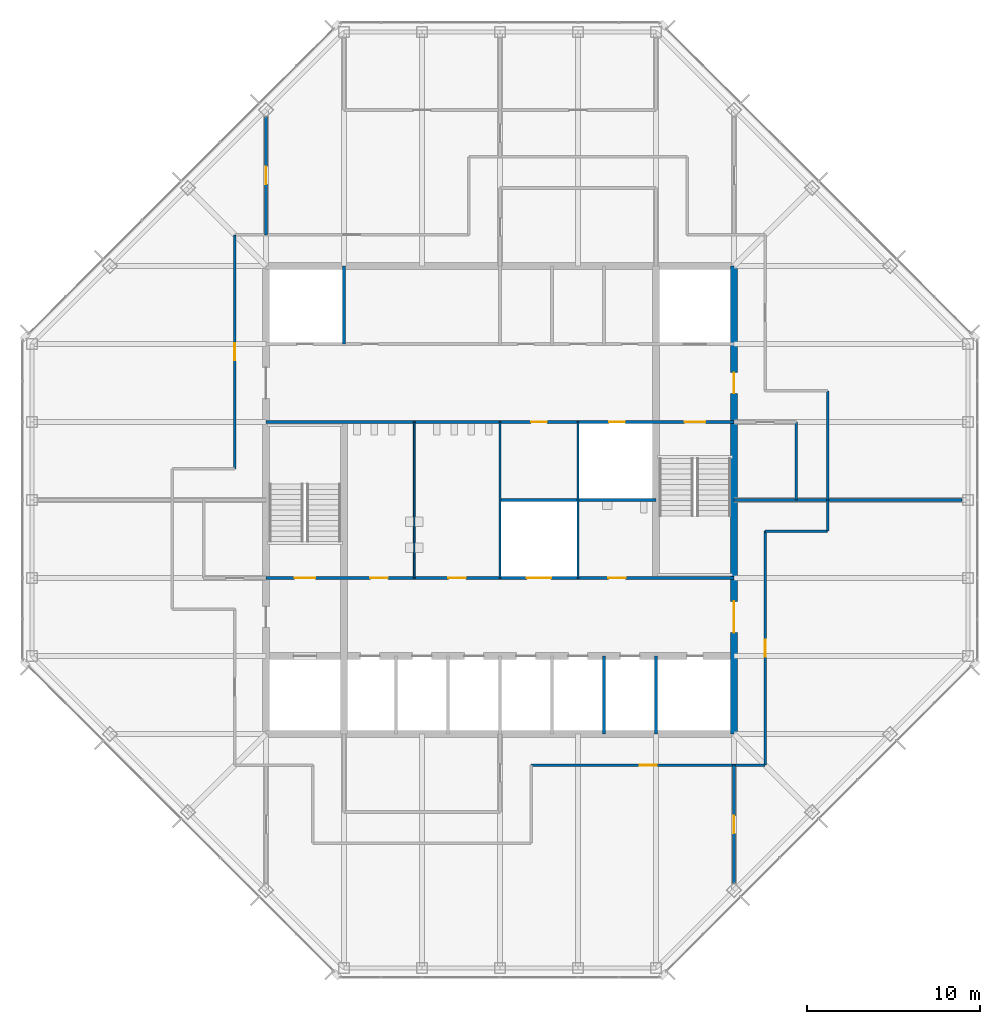
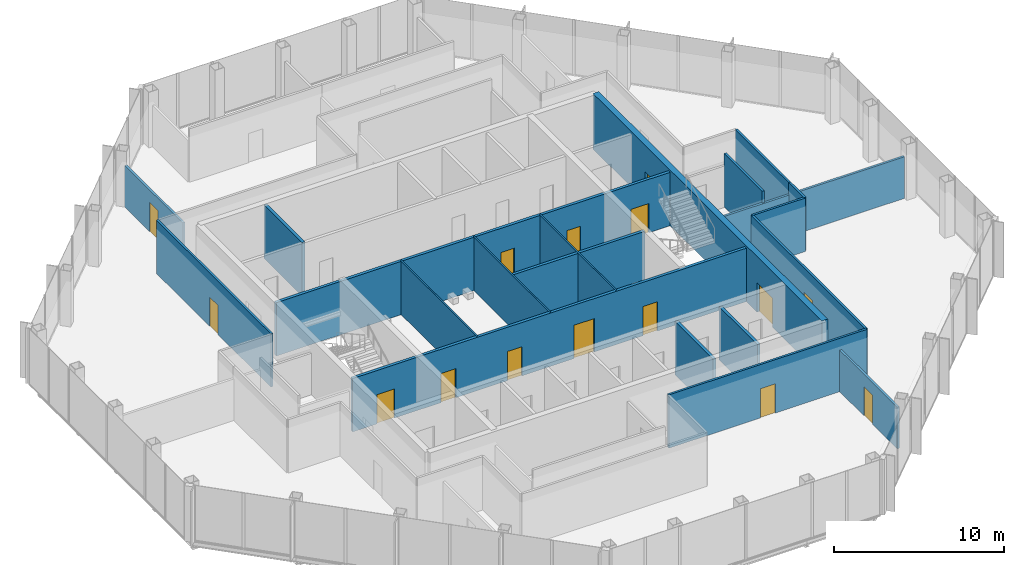
# One storey, part 10 of 13: 20 walls, 15 doors, 15 openings.
"""IFC4 building model written with IfcOpenShell, lengths in metres."""

from ifc_helpers import new_model, si_unit, direction, frame, frame_2d, origin, place, context, subcontext, project, spatial, rectangle, extrude, material, layer, layer_set, type_object, element, fill, save


model = new_model("IFC4")

# Units and contexts
model_context = context("Model", 3, precision=1e-05, world=origin(), true_north=direction((0.0, 1.0)))
body_context = subcontext(model_context, "Body", "Model", "MODEL_VIEW")
ifc_project = project(units=[si_unit("LENGTHUNIT", "METRE"), si_unit("AREAUNIT", "SQUARE_METRE"), si_unit("VOLUMEUNIT", "CUBIC_METRE"), si_unit("PLANEANGLEUNIT", "RADIAN"), si_unit("MASSUNIT", "GRAM", prefix="KILO")], contexts=[model_context])

# Site, building, storey
site_placement = place(None, origin())
site = spatial("IfcSite", under=ifc_project, at=site_placement, CompositionType="ELEMENT")
building_placement = place(site_placement, origin())
building = spatial("IfcBuilding", under=site, at=building_placement, Name="Corais Broadcast Tower", CompositionType="ELEMENT")
storey_placement = place(building_placement, frame((0.0, 0.0, 238.60009765625)))
storey = spatial("IfcBuildingStorey", under=building, at=storey_placement, Name="L55", CompositionType="ELEMENT", Elevation=238.60009765625)

# Walls
ifc_material_1 = material(Name="Concrete blockwork class A, grouted, two-hour", Category="masonry")
ifc_layer_1 = layer(ifc_material_1, 0.199951171875)
ifc_layer_set_1 = layer_set([ifc_layer_1], Name="Concrete blockwork class A, grouted, two-hour")
wall_type_1 = type_object("IfcWallType", Name="Core lobby wall 200", PredefinedType="SOLIDWALL", material=ifc_layer_set_1)
for number, where, z_axis, x_axis, name in (
    (1, (18.0, 36.0, 0.0), (0.0, 0.0, 1.0), (0.0, 1.0, 0.0), "CL3 core shaft wall X18B L55"),
    (2, (36.0, 13.5, 0.0), (0.0, 0.0, 1.0), (0.0, 1.0, 0.0), "CL3 core shaft wall X36A L55"),
):
    element("IfcWall", number, at=place(storey_placement, frame(where, z_axis=z_axis, x_axis=x_axis)), inside=storey, type_object=wall_type_1, Name=name, PredefinedType="SOLIDWALL", context=body_context, shape_type="SweptSolid", body=[
        extrude(rectangle(XDim=4.5, YDim=0.199951171875, at=frame_2d((2.25, 0.0))), origin(), (0.0, 0.0, 1.0), 3.83984375),
    ])

# Wall, openings, doors
wall_1_placement = place(storey_placement, frame((13.5, 22.5, 0.0), z_axis=(0.0, 0.0, 1.0), x_axis=(1.0, 0.0, 0.0)))
wall_1 = element("IfcWall", 3, at=wall_1_placement, inside=storey, type_object=wall_type_1, Name="CL3 core lobby wall Y225 L55", PredefinedType="SOLIDWALL", context=body_context, shape_type="SweptSolid", body=[
    extrude(rectangle(XDim=27.0, YDim=0.199951171875, at=frame_2d((13.5, 0.0))), origin(), (0.0, 0.0, 1.0), 3.83984375),
])
opening_1_placement = place(wall_1_placement, frame((1.64990234375, 0.0, 0.0)))
opening_1 = element("IfcOpeningElement", 4, at=opening_1_placement, cuts=wall_1, Name="Opening FD1", PredefinedType="OPENING", context=body_context, shape_type="SweptSolid", body=[
    extrude(rectangle(XDim=1.199951171875, YDim=2.10009765625, at=frame_2d((0.60009765625, 1.050048828125))), frame((0.0, 0.10986328125, 0.0), z_axis=(0.0, -1.0, 0.0), x_axis=(1.0, 0.0, 0.0)), (0.0, 0.0, 1.0), 0.219970703125),
])
opening_2_placement = place(wall_1_placement, frame((6.02490234375, 0.0, 0.0)))
opening_2 = element("IfcOpeningElement", 5, at=opening_2_placement, cuts=wall_1, Name="Opening WD1", PredefinedType="OPENING", context=body_context, shape_type="SweptSolid", body=[
    extrude(rectangle(XDim=1.0, YDim=2.10009765625, at=frame_2d((0.5, 1.050048828125))), frame((0.0, 0.10986328125, 0.0), z_axis=(0.0, -1.0, 0.0), x_axis=(1.0, 0.0, 0.0)), (0.0, 0.0, 1.0), 0.219970703125),
])
opening_3_placement = place(wall_1_placement, frame((10.52490234375, 0.0, 0.0)))
opening_3 = element("IfcOpeningElement", 6, at=opening_3_placement, cuts=wall_1, Name="Opening WD1", PredefinedType="OPENING", context=body_context, shape_type="SweptSolid", body=[
    extrude(rectangle(XDim=1.0, YDim=2.10009765625, at=frame_2d((0.5, 1.050048828125))), frame((0.0, 0.10986328125, 0.0), z_axis=(0.0, -1.0, 0.0), x_axis=(1.0, 0.0, 0.0)), (0.0, 0.0, 1.0), 0.219970703125),
])
opening_4_placement = place(wall_1_placement, frame((19.75, 0.0, 0.0)))
opening_4 = element("IfcOpeningElement", 7, at=opening_4_placement, cuts=wall_1, Name="Opening WD1", PredefinedType="OPENING", context=body_context, shape_type="SweptSolid", body=[
    extrude(rectangle(XDim=1.0, YDim=2.10009765625, at=frame_2d((0.5, 1.050048828125))), frame((0.0, 0.10986328125, 0.0), z_axis=(0.0, -1.0, 0.0), x_axis=(1.0, 0.0, 0.0)), (0.0, 0.0, 1.0), 0.219970703125),
])
opening_5_placement = place(wall_1_placement, frame((15.050048828125, 0.0, 0.0)))
opening_5 = element("IfcOpeningElement", 8, at=opening_5_placement, cuts=wall_1, Name="Opening LD3", PredefinedType="OPENING", context=body_context, shape_type="SweptSolid", body=[
    extrude(rectangle(XDim=1.39990234375, YDim=2.39990234375, at=frame_2d((0.699951171875, 1.199951171875))), frame((0.0, 0.10986328125, 0.0), z_axis=(0.0, -1.0, 0.0), x_axis=(1.0, 0.0, 0.0)), (0.0, 0.0, 1.0), 0.219970703125),
])
ifc_material_2 = material(Name="Steel fire door", Category="steel")
door_type_1 = type_object("IfcDoorType", Name="Fire door 1200x2100", OperationType="SINGLE_SWING_LEFT", PredefinedType="DOOR", material=ifc_material_2)
door_1_placement = place(opening_1_placement, origin())
door_1 = element("IfcDoor", 9, at=door_1_placement, inside=storey, type_object=door_type_1, Name="FD1 stair A door L55", OperationType="SINGLE_SWING_LEFT", OverallHeight=2.10009765625, OverallWidth=1.199951171875, PredefinedType="DOOR", context=body_context, shape_type="SweptSolid", body=[
    extrude(rectangle(XDim=1.199951171875, YDim=2.10009765625, at=frame_2d((0.60009765625, 1.050048828125))), frame((0.0, 0.02490234375, 0.0), z_axis=(0.0, -1.0, 0.0), x_axis=(1.0, 0.0, 0.0)), (0.0, 0.0, 1.0), 0.050048828125),
])
fill(opening_1, door_1)
ifc_material_3 = material(Name="Stainless steel lift door", Category="steel")
door_type_2 = type_object("IfcDoorType", Name="Service lift landing door 1400x2400", OperationType="SLIDING_TO_LEFT", PredefinedType="DOOR", material=ifc_material_3)
door_2_placement = place(opening_5_placement, origin())
door_2 = element("IfcDoor", 10, at=door_2_placement, inside=storey, type_object=door_type_2, Name="LD3 SL1 landing door L55", OperationType="SLIDING_TO_LEFT", OverallHeight=2.39990234375, OverallWidth=1.39990234375, PredefinedType="DOOR", context=body_context, shape_type="SweptSolid", body=[
    extrude(rectangle(XDim=1.39990234375, YDim=2.39990234375, at=frame_2d((0.699951171875, 1.199951171875))), frame((0.0, 0.02490234375, 0.0), z_axis=(0.0, -1.0, 0.0), x_axis=(1.0, 0.0, 0.0)), (0.0, 0.0, 1.0), 0.050048828125),
])
fill(opening_5, door_2)
ifc_material_4 = material(Name="Timber door", Category="wood")
door_type_3 = type_object("IfcDoorType", Name="Toilet door 1000x2100", OperationType="SINGLE_SWING_LEFT", PredefinedType="DOOR", material=ifc_material_4)
door_3_placement = place(opening_2_placement, origin())
door_3 = element("IfcDoor", 11, at=door_3_placement, inside=storey, type_object=door_type_3, Name="WD1 WC male door L55", OperationType="SINGLE_SWING_LEFT", OverallHeight=2.10009765625, OverallWidth=1.0, PredefinedType="DOOR", context=body_context, shape_type="SweptSolid", body=[
    extrude(rectangle(XDim=1.0, YDim=2.10009765625, at=frame_2d((0.5, 1.050048828125))), frame((0.0, 0.02490234375, 0.0), z_axis=(0.0, -1.0, 0.0), x_axis=(1.0, 0.0, 0.0)), (0.0, 0.0, 1.0), 0.050048828125),
])
fill(opening_2, door_3)
door_4_placement = place(opening_3_placement, origin())
door_4 = element("IfcDoor", 12, at=door_4_placement, inside=storey, type_object=door_type_3, Name="WD1 WC female door L55", OperationType="SINGLE_SWING_LEFT", OverallHeight=2.10009765625, OverallWidth=1.0, PredefinedType="DOOR", context=body_context, shape_type="SweptSolid", body=[
    extrude(rectangle(XDim=1.0, YDim=2.10009765625, at=frame_2d((0.5, 1.050048828125))), frame((0.0, 0.02490234375, 0.0), z_axis=(0.0, -1.0, 0.0), x_axis=(1.0, 0.0, 0.0)), (0.0, 0.0, 1.0), 0.050048828125),
])
fill(opening_3, door_4)
door_5_placement = place(opening_4_placement, origin())
door_5 = element("IfcDoor", 13, at=door_5_placement, inside=storey, type_object=door_type_3, Name="WD1 accessible WC door L55", OperationType="SINGLE_SWING_RIGHT", OverallHeight=2.10009765625, OverallWidth=1.0, PredefinedType="DOOR", context=body_context, shape_type="SweptSolid", body=[
    extrude(rectangle(XDim=1.0, YDim=2.10009765625, at=frame_2d((0.5, 1.050048828125))), frame((0.0, 0.02490234375, 0.0), z_axis=(0.0, -1.0, 0.0), x_axis=(1.0, 0.0, 0.0)), (0.0, 0.0, 1.0), 0.050048828125),
])
fill(opening_4, door_5)

wall_2_placement = place(storey_placement, frame((13.5, 31.5, 0.0), z_axis=(0.0, 0.0, 1.0), x_axis=(1.0, 0.0, 0.0)))
wall_2 = element("IfcWall", 14, at=wall_2_placement, inside=storey, type_object=wall_type_1, Name="CL3 core lobby wall Y315 L55", PredefinedType="SOLIDWALL", context=body_context, shape_type="SweptSolid", body=[
    extrude(rectangle(XDim=27.0, YDim=0.199951171875, at=frame_2d((13.5, 0.0))), origin(), (0.0, 0.0, 1.0), 3.83984375),
])
opening_6_placement = place(wall_2_placement, frame((24.14990234375, 0.0, 0.0)))
opening_6 = element("IfcOpeningElement", 15, at=opening_6_placement, cuts=wall_2, Name="Opening FD1", PredefinedType="OPENING", context=body_context, shape_type="SweptSolid", body=[
    extrude(rectangle(XDim=1.199951171875, YDim=2.10009765625, at=frame_2d((0.60009765625, 1.050048828125))), frame((0.0, 0.10986328125, 0.0), z_axis=(0.0, -1.0, 0.0), x_axis=(1.0, 0.0, 0.0)), (0.0, 0.0, 1.0), 0.219970703125),
])
opening_7_placement = place(wall_2_placement, frame((15.300048828125, 0.0, 0.0)))
opening_7 = element("IfcOpeningElement", 16, at=opening_7_placement, cuts=wall_2, Name="Opening RD1", PredefinedType="OPENING", context=body_context, shape_type="SweptSolid", body=[
    extrude(rectangle(XDim=0.89990234375, YDim=2.10009765625, at=frame_2d((0.449951171875, 1.050048828125))), frame((0.0, 0.10986328125, 0.0), z_axis=(0.0, -1.0, 0.0), x_axis=(1.0, 0.0, 0.0)), (0.0, 0.0, 1.0), 0.219970703125),
])
opening_8_placement = place(wall_2_placement, frame((19.800048828125, 0.0, 0.0)))
opening_8 = element("IfcOpeningElement", 17, at=opening_8_placement, cuts=wall_2, Name="Opening RD1", PredefinedType="OPENING", context=body_context, shape_type="SweptSolid", body=[
    extrude(rectangle(XDim=0.89990234375, YDim=2.10009765625, at=frame_2d((0.449951171875, 1.050048828125))), frame((0.0, 0.10986328125, 0.0), z_axis=(0.0, -1.0, 0.0), x_axis=(1.0, 0.0, 0.0)), (0.0, 0.0, 1.0), 0.219970703125),
])
door_6_placement = place(opening_6_placement, origin())
door_6 = element("IfcDoor", 18, at=door_6_placement, inside=storey, type_object=door_type_1, Name="FD1 stair B door L55", OperationType="SINGLE_SWING_RIGHT", OverallHeight=2.10009765625, OverallWidth=1.199951171875, PredefinedType="DOOR", context=body_context, shape_type="SweptSolid", body=[
    extrude(rectangle(XDim=1.199951171875, YDim=2.10009765625, at=frame_2d((0.60009765625, 1.050048828125))), frame((0.0, 0.02490234375, 0.0), z_axis=(0.0, -1.0, 0.0), x_axis=(1.0, 0.0, 0.0)), (0.0, 0.0, 1.0), 0.050048828125),
])
fill(opening_6, door_6)
ifc_material_5 = material(Name="Steel fire door", Category="steel")
door_type_4 = type_object("IfcDoorType", Name="Riser door 900x2100", OperationType="SINGLE_SWING_LEFT", PredefinedType="DOOR", material=ifc_material_5)
door_7_placement = place(opening_7_placement, origin())
door_7 = element("IfcDoor", 19, at=door_7_placement, inside=storey, type_object=door_type_4, Name="RD1 cleaner's store door L55", OperationType="SINGLE_SWING_RIGHT", OverallHeight=2.10009765625, OverallWidth=0.89990234375, PredefinedType="DOOR", context=body_context, shape_type="SweptSolid", body=[
    extrude(rectangle(XDim=0.89990234375, YDim=2.10009765625, at=frame_2d((0.449951171875, 1.050048828125))), frame((0.0, 0.02490234375, 0.0), z_axis=(0.0, -1.0, 0.0), x_axis=(1.0, 0.0, 0.0)), (0.0, 0.0, 1.0), 0.050048828125),
])
fill(opening_7, door_7)
door_8_placement = place(opening_8_placement, origin())
door_8 = element("IfcDoor", 20, at=door_8_placement, inside=storey, type_object=door_type_4, Name="RD1 riser door L55", OperationType="SINGLE_SWING_RIGHT", OverallHeight=2.10009765625, OverallWidth=0.89990234375, PredefinedType="DOOR", context=body_context, shape_type="SweptSolid", body=[
    extrude(rectangle(XDim=0.89990234375, YDim=2.10009765625, at=frame_2d((0.449951171875, 1.050048828125))), frame((0.0, 0.02490234375, 0.0), z_axis=(0.0, -1.0, 0.0), x_axis=(1.0, 0.0, 0.0)), (0.0, 0.0, 1.0), 0.050048828125),
])
fill(opening_8, door_8)

ifc_material_6 = material(Name="Concrete C50/60", Category="concrete")
ifc_layer_2 = layer(ifc_material_6, 0.39990234375)
ifc_layer_set_2 = layer_set([ifc_layer_2], Name="Concrete C50/60")
wall_type_2 = type_object("IfcWallType", Name="Core wall 400", PredefinedType="SHEAR", material=ifc_layer_set_2)
wall_3_placement = place(storey_placement, frame((40.5, 13.5, 0.0), z_axis=(0.0, 0.0, 1.0), x_axis=(0.0, 1.0, 0.0)))
wall_3 = element("IfcWall", 21, at=wall_3_placement, inside=storey, type_object=wall_type_2, Name="CR400 core wall E L55", PredefinedType="SHEAR", context=body_context, shape_type="SweptSolid", body=[
    extrude(rectangle(XDim=27.0, YDim=0.39990234375, at=frame_2d((13.5, 0.0))), origin(), (0.0, 0.0, 1.0), 4.0),
])
opening_9_placement = place(wall_3_placement, frame((5.85009765625, 0.0, 0.0)))
opening_9 = element("IfcOpeningElement", 22, at=opening_9_placement, cuts=wall_3, Name="Opening FD2", PredefinedType="OPENING", context=body_context, shape_type="SweptSolid", body=[
    extrude(rectangle(XDim=1.800048828125, YDim=2.10009765625, at=frame_2d((0.89990234375, 1.050048828125))), frame((0.0, 0.2099609375, 0.0), z_axis=(0.0, -1.0, 0.0), x_axis=(1.0, 0.0, 0.0)), (0.0, 0.0, 1.0), 0.419921875),
])
opening_10_placement = place(wall_3_placement, frame((19.64990234375, 0.0, 0.0)))
opening_10 = element("IfcOpeningElement", 23, at=opening_10_placement, cuts=wall_3, Name="Opening FD1", PredefinedType="OPENING", context=body_context, shape_type="SweptSolid", body=[
    extrude(rectangle(XDim=1.199951171875, YDim=2.10009765625, at=frame_2d((0.60009765625, 1.050048828125))), frame((0.0, 0.2099609375, 0.0), z_axis=(0.0, -1.0, 0.0), x_axis=(1.0, 0.0, 0.0)), (0.0, 0.0, 1.0), 0.419921875),
])
door_9_placement = place(opening_10_placement, origin())
door_9 = element("IfcDoor", 24, at=door_9_placement, inside=storey, type_object=door_type_1, Name="FD1 fire lobby B door L55", OperationType="SINGLE_SWING_RIGHT", OverallHeight=2.10009765625, OverallWidth=1.199951171875, PredefinedType="DOOR", context=body_context, shape_type="SweptSolid", body=[
    extrude(rectangle(XDim=1.199951171875, YDim=2.10009765625, at=frame_2d((0.60009765625, 1.050048828125))), frame((0.0, 0.02490234375, 0.0), z_axis=(0.0, -1.0, 0.0), x_axis=(1.0, 0.0, 0.0)), (0.0, 0.0, 1.0), 0.050048828125),
])
fill(opening_10, door_9)
ifc_material_7 = material(Name="Steel fire door", Category="steel")
door_type_5 = type_object("IfcDoorType", Name="Fire door pair 1800x2100", OperationType="DOUBLE_DOOR_SINGLE_SWING", PredefinedType="DOOR", material=ifc_material_7)
door_10_placement = place(opening_9_placement, origin())
door_10 = element("IfcDoor", 25, at=door_10_placement, inside=storey, type_object=door_type_5, Name="FD2 lift lobby door L55", OperationType="SINGLE_SWING_LEFT", OverallHeight=2.10009765625, OverallWidth=1.800048828125, PredefinedType="DOOR", context=body_context, shape_type="SweptSolid", body=[
    extrude(rectangle(XDim=1.800048828125, YDim=2.10009765625, at=frame_2d((0.89990234375, 1.050048828125))), frame((0.0, 0.02490234375, 0.0), z_axis=(0.0, -1.0, 0.0), x_axis=(1.0, 0.0, 0.0)), (0.0, 0.0, 1.0), 0.050048828125),
])
fill(opening_9, door_10)

# Wall
ifc_material_8 = material(Name="Two layers of fire-rated gypsum board each side on steel studs", Category="steel")
ifc_layer_3 = layer(ifc_material_8, 0.14990234375)
ifc_layer_set_3 = layer_set([ifc_layer_3], Name="Two layers of fire-rated gypsum board each side on steel studs")
wall_type_3 = type_object("IfcWallType", Name="Fire-rated partition 150 EI 60", PredefinedType="PARTITIONING", material=ifc_layer_set_3)
wall_4_placement = place(storey_placement, frame((40.5, 27.0, 0.0), z_axis=(0.0, 0.0, 1.0), x_axis=(1.0, 0.0, 0.0)))
element("IfcWall", 26, at=wall_4_placement, inside=storey, type_object=wall_type_3, Name="IW7 tenancy wall L55", PredefinedType="PARTITIONING", context=body_context, shape_type="SweptSolid", body=[
    extrude(rectangle(XDim=13.1650390625, YDim=0.14990234375, at=frame_2d((6.58251953125, 0.0))), origin(), (0.0, 0.0, 1.0), 2.989013671875),
])

# Wall, opening, door
ifc_material_9 = material(Name="Gypsum board on steel studs", Category="steel")
ifc_layer_4 = layer(ifc_material_9, 0.14990234375)
ifc_layer_set_4 = layer_set([ifc_layer_4], Name="Gypsum board on steel studs")
wall_type_4 = type_object("IfcWallType", Name="Partition 150", PredefinedType="PARTITIONING", material=ifc_layer_set_4)
wall_5_placement = place(storey_placement, frame((28.800048828125, 11.699951171875, 0.0), z_axis=(0.0, 0.0, 1.0), x_axis=(1.0, 0.0, 0.0)))
wall_5 = element("IfcWall", 27, at=wall_5_placement, inside=storey, type_object=wall_type_4, Name="IW3 corridor wall L55", PredefinedType="PARTITIONING", context=body_context, shape_type="SweptSolid", body=[
    extrude(rectangle(XDim=13.5, YDim=0.14990234375, at=frame_2d((6.75, 0.0))), origin(), (0.0, 0.0, 1.0), 3.83984375),
])
opening_11_placement = place(wall_5_placement, frame((6.25, 0.0, 0.0)))
opening_11 = element("IfcOpeningElement", 28, at=opening_11_placement, cuts=wall_5, Name="Opening D1", PredefinedType="OPENING", context=body_context, shape_type="SweptSolid", body=[
    extrude(rectangle(XDim=1.0, YDim=2.10009765625, at=frame_2d((0.5, 1.050048828125))), frame((0.0, 0.0849609375, 0.0), z_axis=(0.0, -1.0, 0.0), x_axis=(1.0, 0.0, 0.0)), (0.0, 0.0, 1.0), 0.169921875),
])
ifc_material_10 = material(Name="Timber door", Category="wood")
door_type_6 = type_object("IfcDoorType", Name="Single door 1000x2100", OperationType="SINGLE_SWING_LEFT", PredefinedType="DOOR", material=ifc_material_10)
door_11_placement = place(opening_11_placement, origin())
door_11 = element("IfcDoor", 29, at=door_11_placement, inside=storey, type_object=door_type_6, Name="D1 workplace door L55", OperationType="SINGLE_SWING_LEFT", OverallHeight=2.10009765625, OverallWidth=1.0, PredefinedType="DOOR", context=body_context, shape_type="SweptSolid", body=[
    extrude(rectangle(XDim=1.0, YDim=2.10009765625, at=frame_2d((0.5, 1.050048828125))), frame((0.0, 0.02490234375, 0.0), z_axis=(0.0, -1.0, 0.0), x_axis=(1.0, 0.0, 0.0)), (0.0, 0.0, 1.0), 0.050048828125),
])
fill(opening_11, door_11)

wall_6_placement = place(storey_placement, frame((42.300048828125, 11.699951171875, 0.0), z_axis=(0.0, 0.0, 1.0), x_axis=(0.0, 1.0, 0.0)))
wall_6 = element("IfcWall", 30, at=wall_6_placement, inside=storey, type_object=wall_type_4, Name="IW3 corridor wall L55", PredefinedType="PARTITIONING", context=body_context, shape_type="SweptSolid", body=[
    extrude(rectangle(XDim=13.5, YDim=0.14990234375, at=frame_2d((6.75, 0.0))), origin(), (0.0, 0.0, 1.0), 3.83984375),
])
opening_12_placement = place(wall_6_placement, frame((6.25, 0.0, 0.0)))
opening_12 = element("IfcOpeningElement", 31, at=opening_12_placement, cuts=wall_6, Name="Opening D1", PredefinedType="OPENING", context=body_context, shape_type="SweptSolid", body=[
    extrude(rectangle(XDim=1.0, YDim=2.10009765625, at=frame_2d((0.5, 1.050048828125))), frame((0.0, 0.0849609375, 0.0), z_axis=(0.0, -1.0, 0.0), x_axis=(1.0, 0.0, 0.0)), (0.0, 0.0, 1.0), 0.169921875),
])
door_12_placement = place(opening_12_placement, origin())
door_12 = element("IfcDoor", 32, at=door_12_placement, inside=storey, type_object=door_type_6, Name="D1 workplace door L55", OperationType="SINGLE_SWING_LEFT", OverallHeight=2.10009765625, OverallWidth=1.0, PredefinedType="DOOR", context=body_context, shape_type="SweptSolid", body=[
    extrude(rectangle(XDim=1.0, YDim=2.10009765625, at=frame_2d((0.5, 1.050048828125))), frame((0.0, 0.02490234375, 0.0), z_axis=(0.0, -1.0, 0.0), x_axis=(1.0, 0.0, 0.0)), (0.0, 0.0, 1.0), 0.050048828125),
])
fill(opening_12, door_12)

# Walls
wall_7_placement = place(storey_placement, frame((42.300048828125, 25.199951171875, 0.0), z_axis=(0.0, 0.0, 1.0), x_axis=(1.0, 0.0, 0.0)))
element("IfcWall", 33, at=wall_7_placement, inside=storey, type_object=wall_type_4, Name="IW3 corridor wall L55", PredefinedType="PARTITIONING", context=body_context, shape_type="SweptSolid", body=[
    extrude(rectangle(XDim=3.599853515625, YDim=0.14990234375, at=frame_2d((1.7998046875, 0.0))), origin(), (0.0, 0.0, 1.0), 3.83984375),
])
wall_8_placement = place(storey_placement, frame((45.89990234375, 25.199951171875, 0.0), z_axis=(0.0, 0.0, 1.0), x_axis=(0.0, 1.0, 0.0)))
element("IfcWall", 34, at=wall_8_placement, inside=storey, type_object=wall_type_4, Name="IW3 corridor wall L55", PredefinedType="PARTITIONING", context=body_context, shape_type="SweptSolid", body=[
    extrude(rectangle(XDim=1.799560546875, YDim=0.14990234375, at=frame_2d((0.89990234375, 0.0))), origin(), (0.0, 0.0, 1.0), 3.83984375),
])

# Wall, opening, door
wall_9_placement = place(storey_placement, frame((11.699951171875, 42.300048828125, 0.0), z_axis=(0.0, 0.0, 1.0), x_axis=(0.0, -1.0, 0.0)))
wall_9 = element("IfcWall", 35, at=wall_9_placement, inside=storey, type_object=wall_type_4, Name="IW3 corridor wall L55", PredefinedType="PARTITIONING", context=body_context, shape_type="SweptSolid", body=[
    extrude(rectangle(XDim=13.5, YDim=0.14990234375, at=frame_2d((6.75, 0.0))), origin(), (0.0, 0.0, 1.0), 3.83984375),
])
opening_13_placement = place(wall_9_placement, frame((6.25, 0.0, 0.0)))
opening_13 = element("IfcOpeningElement", 36, at=opening_13_placement, cuts=wall_9, Name="Opening D1", PredefinedType="OPENING", context=body_context, shape_type="SweptSolid", body=[
    extrude(rectangle(XDim=1.0, YDim=2.10009765625, at=frame_2d((0.5, 1.050048828125))), frame((0.0, 0.0849609375, 0.0), z_axis=(0.0, -1.0, 0.0), x_axis=(1.0, 0.0, 0.0)), (0.0, 0.0, 1.0), 0.169921875),
])
door_13_placement = place(opening_13_placement, origin())
door_13 = element("IfcDoor", 37, at=door_13_placement, inside=storey, type_object=door_type_6, Name="D1 workplace door L55", OperationType="SINGLE_SWING_LEFT", OverallHeight=2.10009765625, OverallWidth=1.0, PredefinedType="DOOR", context=body_context, shape_type="SweptSolid", body=[
    extrude(rectangle(XDim=1.0, YDim=2.10009765625, at=frame_2d((0.5, 1.050048828125))), frame((0.0, 0.02490234375, 0.0), z_axis=(0.0, -1.0, 0.0), x_axis=(1.0, 0.0, 0.0)), (0.0, 0.0, 1.0), 0.050048828125),
])
fill(opening_13, door_13)

# Walls
wall_10_placement = place(storey_placement, frame((45.89990234375, 27.00048828125, 0.0), z_axis=(0.0, 0.0, 1.0), x_axis=(0.0, 1.0, 0.0)))
element("IfcWall", 38, at=wall_10_placement, inside=storey, type_object=wall_type_4, Name="IW3 corridor wall L55", PredefinedType="PARTITIONING", context=body_context, shape_type="SweptSolid", body=[
    extrude(rectangle(XDim=6.299560546875, YDim=0.14990234375, at=frame_2d((3.14990234375, 0.0))), origin(), (0.0, 0.0, 1.0), 3.83984375),
])
wall_11_placement = place(storey_placement, frame((44.10009765625, 27.0, 0.0), z_axis=(0.0, 0.0, 1.0), x_axis=(0.0, 1.0, 0.0)))
element("IfcWall", 39, at=wall_11_placement, inside=storey, type_object=wall_type_4, Name="IW3 partition L55", PredefinedType="PARTITIONING", context=body_context, shape_type="SweptSolid", body=[
    extrude(rectangle(XDim=4.5, YDim=0.14990234375, at=frame_2d((2.25, 0.0))), origin(), (0.0, 0.0, 1.0), 3.83984375),
])

# Wall, opening, door
wall_12_placement = place(storey_placement, frame((40.5, 4.844970703125, 0.0), z_axis=(0.0, 0.0, 1.0), x_axis=(0.0, 1.0, 0.0)))
wall_12 = element("IfcWall", 40, at=wall_12_placement, inside=storey, type_object=wall_type_4, Name="IW3 partition L55", PredefinedType="PARTITIONING", context=body_context, shape_type="SweptSolid", body=[
    extrude(rectangle(XDim=6.85498046875, YDim=0.14990234375, at=frame_2d((3.427490234375, 0.0))), origin(), (0.0, 0.0, 1.0), 2.989013671875),
])
opening_14_placement = place(wall_12_placement, frame((2.927490234375, 0.0, 0.0)))
opening_14 = element("IfcOpeningElement", 41, at=opening_14_placement, cuts=wall_12, Name="Opening D1", PredefinedType="OPENING", context=body_context, shape_type="SweptSolid", body=[
    extrude(rectangle(XDim=1.0, YDim=2.10009765625, at=frame_2d((0.5, 1.050048828125))), frame((0.0, 0.0849609375, 0.0), z_axis=(0.0, -1.0, 0.0), x_axis=(1.0, 0.0, 0.0)), (0.0, 0.0, 1.0), 0.169921875),
])
door_14_placement = place(opening_14_placement, origin())
door_14 = element("IfcDoor", 42, at=door_14_placement, inside=storey, type_object=door_type_6, Name="D1 team room door L55", OperationType="SINGLE_SWING_LEFT", OverallHeight=2.10009765625, OverallWidth=1.0, PredefinedType="DOOR", context=body_context, shape_type="SweptSolid", body=[
    extrude(rectangle(XDim=1.0, YDim=2.10009765625, at=frame_2d((0.5, 1.050048828125))), frame((0.0, 0.02490234375, 0.0), z_axis=(0.0, -1.0, 0.0), x_axis=(1.0, 0.0, 0.0)), (0.0, 0.0, 1.0), 0.050048828125),
])
fill(opening_14, door_14)

wall_13_placement = place(storey_placement, frame((13.5, 42.300048828125, 0.0), z_axis=(0.0, 0.0, 1.0), x_axis=(0.0, 1.0, 0.0)))
wall_13 = element("IfcWall", 43, at=wall_13_placement, inside=storey, type_object=wall_type_4, Name="IW3 partition L55", PredefinedType="PARTITIONING", context=body_context, shape_type="SweptSolid", body=[
    extrude(rectangle(XDim=6.85498046875, YDim=0.14990234375, at=frame_2d((3.427490234375, 0.0))), origin(), (0.0, 0.0, 1.0), 2.989013671875),
])
opening_15_placement = place(wall_13_placement, frame((2.927490234375, 0.0, 0.0)))
opening_15 = element("IfcOpeningElement", 44, at=opening_15_placement, cuts=wall_13, Name="Opening D1", PredefinedType="OPENING", context=body_context, shape_type="SweptSolid", body=[
    extrude(rectangle(XDim=1.0, YDim=2.10009765625, at=frame_2d((0.5, 1.050048828125))), frame((0.0, 0.0849609375, 0.0), z_axis=(0.0, -1.0, 0.0), x_axis=(1.0, 0.0, 0.0)), (0.0, 0.0, 1.0), 0.169921875),
])
door_15_placement = place(opening_15_placement, origin())
door_15 = element("IfcDoor", 45, at=door_15_placement, inside=storey, type_object=door_type_6, Name="D1 team room door L55", OperationType="SINGLE_SWING_LEFT", OverallHeight=2.10009765625, OverallWidth=1.0, PredefinedType="DOOR", context=body_context, shape_type="SweptSolid", body=[
    extrude(rectangle(XDim=1.0, YDim=2.10009765625, at=frame_2d((0.5, 1.050048828125))), frame((0.0, 0.02490234375, 0.0), z_axis=(0.0, -1.0, 0.0), x_axis=(1.0, 0.0, 0.0)), (0.0, 0.0, 1.0), 0.050048828125),
])
fill(opening_15, door_15)

# Walls
ifc_material_11 = material(Name="Concrete blockwork class A, grouted, two-hour", Category="masonry")
ifc_layer_5 = layer(ifc_material_11, 0.199951171875)
ifc_layer_set_5 = layer_set([ifc_layer_5], Name="Concrete blockwork class A, grouted, two-hour")
wall_type_5 = type_object("IfcWallType", Name="Shaft wall 200", PredefinedType="PARTITIONING", material=ifc_layer_set_5)
wall_14_placement = place(storey_placement, frame((33.0, 13.5, 0.0), z_axis=(0.0, 0.0, 1.0), x_axis=(0.0, 1.0, 0.0)))
element("IfcWall", 46, at=wall_14_placement, inside=storey, type_object=wall_type_5, Name="IW1 shaft wall L55", PredefinedType="PARTITIONING", context=body_context, shape_type="SweptSolid", body=[
    extrude(rectangle(XDim=4.5, YDim=0.199951171875, at=frame_2d((2.25, 0.0))), origin(), (0.0, 0.0, 1.0), 3.83984375),
])
wall_15_placement = place(storey_placement, frame((27.0, 27.0, 0.0), z_axis=(0.0, 0.0, 1.0), x_axis=(1.0, 0.0, 0.0)))
element("IfcWall", 47, at=wall_15_placement, inside=storey, type_object=wall_type_5, Name="IW1 shaft wall L55", PredefinedType="PARTITIONING", context=body_context, shape_type="SweptSolid", body=[
    extrude(rectangle(XDim=9.0, YDim=0.199951171875, at=frame_2d((4.5, 0.0))), origin(), (0.0, 0.0, 1.0), 3.83984375),
])
ifc_material_12 = material(Name="Dense concrete blockwork class A, tiled both faces", Category="masonry")
ifc_layer_6 = layer(ifc_material_12, 0.10009765625)
ifc_layer_set_6 = layer_set([ifc_layer_6], Name="Dense concrete blockwork class A, tiled both faces")
wall_type_6 = type_object("IfcWallType", Name="Toilet wall 100", PredefinedType="PLUMBINGWALL", material=ifc_layer_set_6)
for number, where, z_axis, x_axis, name in (
    (48, (22.050048828125, 22.5, 0.0), (0.0, 0.0, 1.0), (0.0, 1.0, 0.0), "IW2 toilet wall L55"),
    (49, (27.0, 22.5, 0.0), (0.0, 0.0, 1.0), (0.0, 1.0, 0.0), "IW2 toilet wall L55"),
    (50, (31.5, 22.5, 0.0), (0.0, 0.0, 1.0), (0.0, 1.0, 0.0), "IW2 toilet wall L55"),
):
    element("IfcWall", number, at=place(storey_placement, frame(where, z_axis=z_axis, x_axis=x_axis)), inside=storey, type_object=wall_type_6, Name=name, PredefinedType="PLUMBINGWALL", context=body_context, shape_type="SweptSolid", body=[
        extrude(rectangle(XDim=9.0, YDim=0.10009765625, at=frame_2d((4.5, 0.0))), origin(), (0.0, 0.0, 1.0), 3.83984375),
    ])

save(model, "model.ifc")
